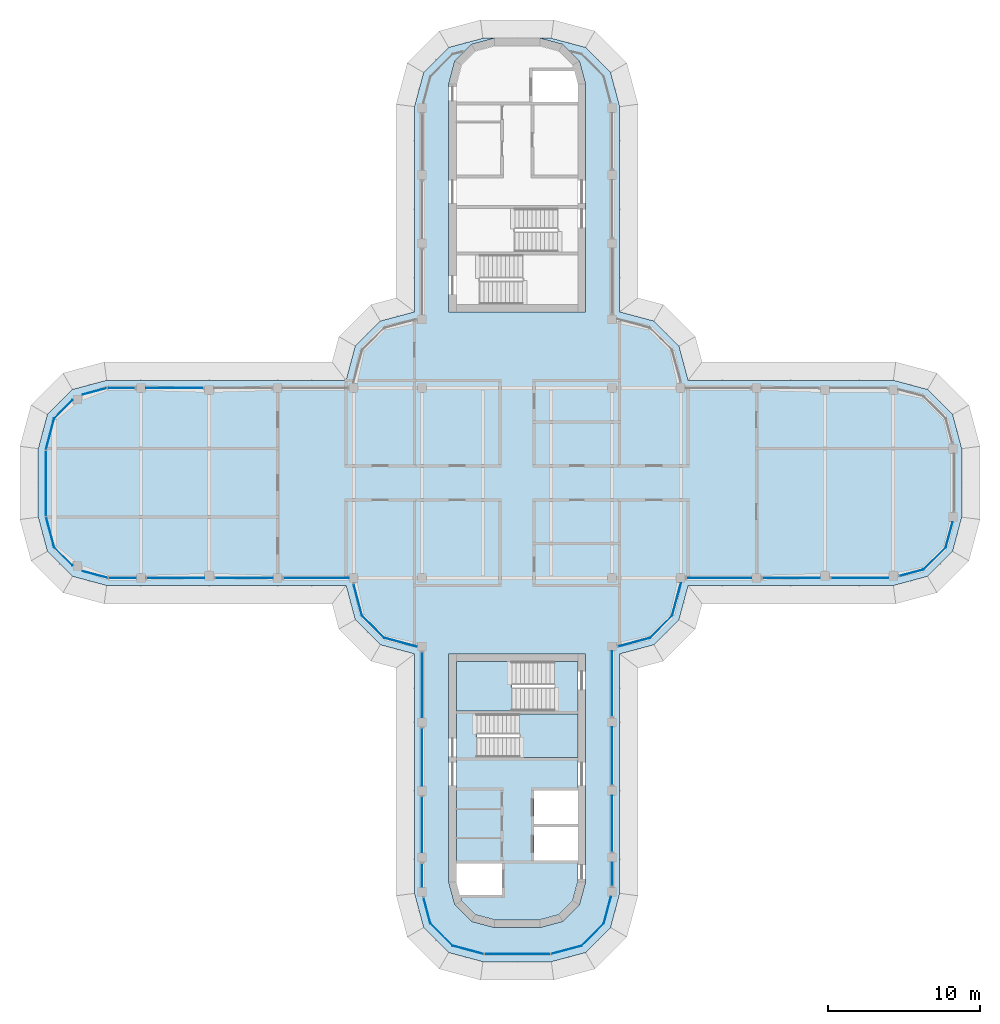
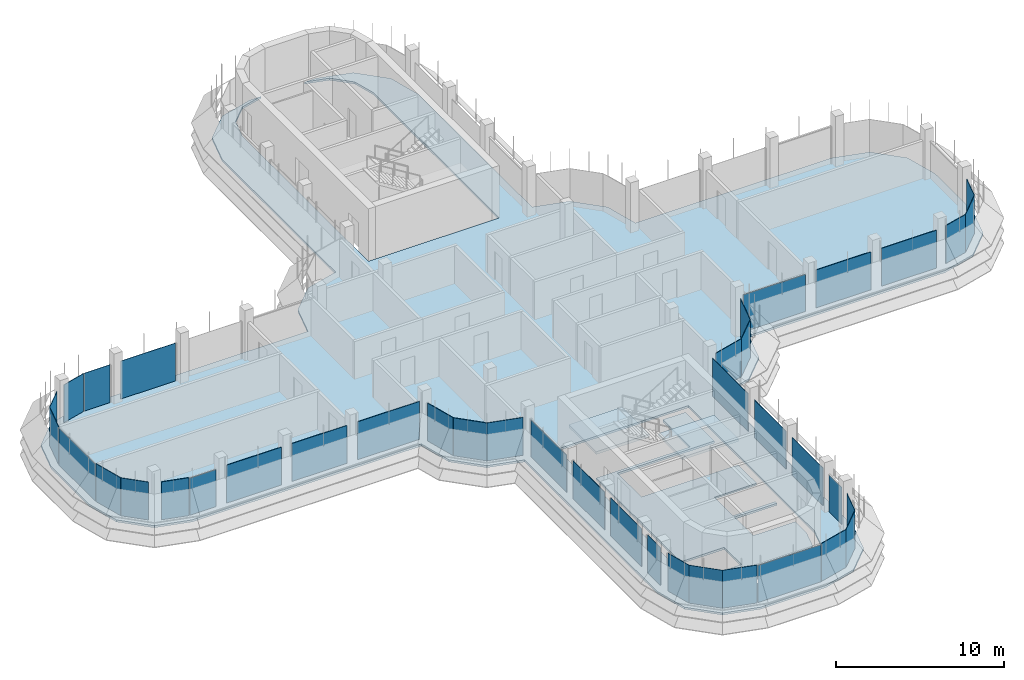
# One storey, part 11 of 19: 40 plates, 4 slabs, 30 elements without a shape of their own.
"""IFC4 building model written with IfcOpenShell, lengths in metres."""

from ifc_helpers import new_model, si_unit, direction, frame, origin, place, context, subcontext, project, spatial, polyline, outline, extrude, source, transform, mapped, material, layer, layer_set, type_object, element, aggregate, save


model = new_model("IFC4")

# Units and contexts
model_context = context("Model", 3, precision=1e-05, world=origin(), true_north=direction((0.0, 1.0)))
body_context = subcontext(model_context, "Body", "Model", "MODEL_VIEW")
ifc_project = project(units=[si_unit("LENGTHUNIT", "METRE"), si_unit("AREAUNIT", "SQUARE_METRE"), si_unit("VOLUMEUNIT", "CUBIC_METRE"), si_unit("PLANEANGLEUNIT", "RADIAN"), si_unit("MASSUNIT", "GRAM", prefix="KILO")], contexts=[model_context])

# Site, building, storey
site_placement = place(None, origin())
site = spatial("IfcSite", under=ifc_project, at=site_placement, CompositionType="ELEMENT")
building_placement = place(site_placement, origin())
building = spatial("IfcBuilding", under=site, at=building_placement, Name="Zarbagh Exchange Tower", CompositionType="ELEMENT")
storey_placement = place(building_placement, frame((0.0, 0.0, 265.0)))
storey = spatial("IfcBuildingStorey", under=building, at=storey_placement, Name="L65", CompositionType="ELEMENT", Elevation=265.0)

# Slabs
ifc_material_1 = material(Name="Concrete C40/50", Category="concrete")
ifc_layer_1 = layer(ifc_material_1, 0.14990234375)
ifc_layer_set_1 = layer_set([ifc_layer_1], Name="Composite floor slab 150 C40/50")
slab_type_1 = type_object("IfcSlabType", Name="Composite floor slab 150 C40/50", PredefinedType="FLOOR", material=ifc_layer_set_1)
slab_1_placement = place(storey_placement, frame((0.0, 0.0, -0.14990234375)))
element("IfcSlab", 1, at=slab_1_placement, inside=storey, type_object=slab_type_1, Name="S5 composite floor slab", PredefinedType="FLOOR", context=body_context, shape_type="SweptSolid", body=[
    extrude(outline(polyline([(-2.25, -31.5), (-4.5, -30.897216796875), (-6.147216796875, -29.25), (-6.75, -27.0), (-6.75, -11.25), (-9.0, -10.647216796875), (-10.647216796875, -9.0), (-11.25, -6.75), (-27.0, -6.75), (-29.25, -6.147216796875), (-30.897216796875, -4.5), (-31.5, -2.25), (-31.5, 2.25), (-30.897216796875, 4.5), (-29.25, 6.147216796875), (-27.0, 6.75), (-11.25, 6.75), (-10.647216796875, 9.0), (-9.0, 10.647216796875), (-6.75, 11.25), (-6.75, 24.75), (-6.147216796875, 27.0), (-4.5, 28.647216796875), (-2.25, 29.25), (-1.5, 29.25), (-3.0, 28.84814453125), (-4.09814453125, 27.75), (-4.5, 26.25), (-4.5, 11.25), (4.5, 11.25), (4.5, 26.25), (4.09814453125, 27.75), (3.0, 28.84814453125), (1.5, 29.25), (2.25, 29.25), (4.5, 28.647216796875), (6.147216796875, 27.0), (6.75, 24.75), (6.75, 11.25), (9.0, 10.647216796875), (10.647216796875, 9.0), (11.25, 6.75), (24.75, 6.75), (27.0, 6.147216796875), (28.647216796875, 4.5), (29.25, 2.25), (29.25, -2.25), (28.647216796875, -4.5), (27.0, -6.147216796875), (24.75, -6.75), (11.25, -6.75), (10.647216796875, -9.0), (9.0, -10.647216796875), (6.75, -11.25), (6.75, -27.0), (6.147216796875, -29.25), (4.5, -30.897216796875), (2.25, -31.5), (-2.25, -31.5)]), holes=[polyline([(-1.5, -29.25), (1.5, -29.25), (3.0, -28.84814453125), (4.09814453125, -27.75), (4.5, -26.25), (4.5, -11.25), (-4.5, -11.25), (-4.5, -26.25), (-4.09814453125, -27.75), (-3.0, -28.84814453125), (-1.5, -29.25)])]), origin(), (0.0, 0.0, 1.0), 0.14990234375),
])
ifc_layer_2 = layer(ifc_material_1, 0.14990234375)
ifc_layer_set_2 = layer_set([ifc_layer_2], Name="Core floor slab 150 C40/50")
slab_type_2 = type_object("IfcSlabType", Name="Core floor slab 150 C40/50", PredefinedType="FLOOR", material=ifc_layer_set_2)
slab_2_placement = place(storey_placement, frame((0.0, 0.0, -0.14990234375)))
element("IfcSlab", 2, at=slab_2_placement, inside=storey, type_object=slab_type_2, Name="S17 core S", PredefinedType="FLOOR", context=body_context, shape_type="SweptSolid", body=[
    extrude(outline(polyline([(-2.7412109375, -28.39990234375), (-3.64990234375, -27.4912109375), (-3.857666015625, -26.715087890625), (-3.754638671875, -27.10009765625), (-1.0, -27.10009765625), (-1.0, -25.050048828125), (-4.0, -25.050048828125), (-4.0, -15.0), (2.449951171875, -15.0), (2.449951171875, -11.75), (4.0, -11.75), (4.0, -15.199951171875), (-2.64990234375, -15.199951171875), (-2.64990234375, -18.050048828125), (4.0, -18.050048828125), (4.0, -20.25), (1.10009765625, -20.25), (1.10009765625, -22.449951171875), (4.0, -22.449951171875), (4.0, -22.64990234375), (1.10009765625, -22.64990234375), (1.10009765625, -24.85009765625), (4.0, -24.85009765625), (4.0, -26.18408203125), (3.64990234375, -27.4912109375), (2.7412109375, -28.39990234375), (1.43408203125, -28.75), (-1.43408203125, -28.75), (-2.7412109375, -28.39990234375)])), origin(), (0.0, 0.0, 1.0), 0.14990234375),
])

# Stair, slab
stair_type = type_object("IfcStairType", Name="Exit stair two-flight half-turn", PredefinedType="HALF_TURN_STAIR", material=ifc_material_1)
stair_1_placement = place(storey_placement, origin())
stair_1 = element("IfcStair", 3, at=stair_1_placement, inside=storey, type_object=stair_type, Name="exit stair ST3", PredefinedType="HALF_TURN_STAIR")
ifc_layer_3 = layer(ifc_material_1, 0.199951171875)
ifc_layer_set_3 = layer_set([ifc_layer_3], Name="Stair landing 200 mm")
slab_type_3 = type_object("IfcSlabType", Name="Stair landing 200 mm", PredefinedType="LANDING", material=ifc_layer_set_3)
slab_3_placement = place(storey_placement, frame((0.0, 0.0, 1.699951171875)))
slab_3 = element("IfcSlab", 4, at=slab_3_placement, type_object=slab_type_3, Name="ST3 landing 1", PredefinedType="LANDING", context=body_context, shape_type="SweptSolid", body=[
    extrude(outline(polyline([(0.14990234375, -18.050048828125), (4.0, -18.050048828125), (4.0, -15.199951171875), (0.14990234375, -15.199951171875), (0.14990234375, -18.050048828125)])), origin(), (0.0, 0.0, 1.0), 0.199951171875),
])
aggregate(stair_1, [slab_3])

stair_2_placement = place(storey_placement, origin())
stair_2 = element("IfcStair", 5, at=stair_2_placement, inside=storey, type_object=stair_type, Name="exit stair ST4", PredefinedType="HALF_TURN_STAIR")
slab_4_placement = place(storey_placement, frame((0.0, 0.0, 1.699951171875)))
slab_4 = element("IfcSlab", 6, at=slab_4_placement, type_object=slab_type_3, Name="ST4 landing 1", PredefinedType="LANDING", context=body_context, shape_type="SweptSolid", body=[
    extrude(outline(polyline([(-0.35009765625, -11.75), (-4.0, -11.75), (-4.0, -15.0), (-0.35009765625, -15.0), (-0.35009765625, -11.75)])), origin(), (0.0, 0.0, 1.0), 0.199951171875),
])
aggregate(stair_2, [slab_4])

# Curtain wall, plate
ifc_material_2 = material(Name="Anodised aluminium frame and glazing", Category="aluminium")
curtain_wall_type = type_object("IfcCurtainWallType", Name="CWB Ribbon glazing, upper zones", PredefinedType="NOTDEFINED", material=ifc_material_2)
curtain_wall_1_placement = place(storey_placement, origin())
curtain_wall_1 = element("IfcCurtainWall", 7, at=curtain_wall_1_placement, inside=storey, type_object=curtain_wall_type, Name="CWB50 curtain wall", PredefinedType="NOTDEFINED")
ifc_material_3 = material(Name="Low-e double glazed unit, 6+12+6 mm")
ifc_layer_4 = layer(ifc_material_3, 0.031982421875)
ifc_layer_set_4 = layer_set([ifc_layer_4], Name="PAB Glazing panel, Low-e double glazed unit, 6+12+6 mm")
plate_type = type_object("IfcPlateType", Name="PAB Glazing panel, Low-e double glazed unit, 6+12+6 mm", PredefinedType="CURTAIN_PANEL", material=ifc_layer_set_4)
shared_shape_1 = source(origin(), body_context, "Body", "SweptSolid", [
    extrude(outline(polyline([(0.0, -0.01611328125), (2.061279296875, -0.01611328125), (2.061279296875, 0.01611328125), (0.0, 0.01611328125), (0.0, -0.01611328125)])), origin(), (0.0, 0.0, 1.0), 2.75),
])
placement = place(storey_placement, origin())
plate_1 = element("IfcPlate", 8, at=placement, type_object=plate_type, Name="CWB50 glazing panel 1.1", PredefinedType="CURTAIN_PANEL", context=body_context, shape_type="MappedRepresentation", body=[
    mapped(shared_shape_1, transform((4.2412109375, -30.44873046875, 0.0), x_axis=(0.707106781187, 0.707106781187, 0.0), y_axis=(-0.707106781187, 0.707106781187, 0.0), z_axis=(0.0, 0.0, 1.0))),
])
aggregate(curtain_wall_1, [plate_1])

curtain_wall_2_placement = place(storey_placement, origin())
curtain_wall_2 = element("IfcCurtainWall", 9, at=curtain_wall_2_placement, inside=storey, type_object=curtain_wall_type, Name="CWB06 curtain wall", PredefinedType="NOTDEFINED")
plate_2 = element("IfcPlate", 10, at=placement, type_object=plate_type, Name="CWB06 glazing panel 1.1", PredefinedType="CURTAIN_PANEL", context=body_context, shape_type="MappedRepresentation", body=[
    mapped(shared_shape_1, transform((8.7412109375, -10.19873046875, 0.0), x_axis=(0.707106781187, 0.707106781187, 0.0), y_axis=(-0.707106781187, 0.707106781187, 0.0), z_axis=(0.0, 0.0, 1.0))),
])
aggregate(curtain_wall_2, [plate_2])

curtain_wall_3_placement = place(storey_placement, origin())
curtain_wall_3 = element("IfcCurtainWall", 11, at=curtain_wall_3_placement, inside=storey, type_object=curtain_wall_type, Name="CWB77 curtain wall", PredefinedType="NOTDEFINED")
plate_3 = element("IfcPlate", 12, at=placement, type_object=plate_type, Name="CWB77 glazing panel 1.1", PredefinedType="CURTAIN_PANEL", context=body_context, shape_type="MappedRepresentation", body=[
    mapped(shared_shape_1, transform((26.7412109375, -5.69873046875, 0.0), x_axis=(0.707106781187, 0.707106781187, 0.0), y_axis=(-0.707106781187, 0.707106781187, 0.0), z_axis=(0.0, 0.0, 1.0))),
])
aggregate(curtain_wall_3, [plate_3])

curtain_wall_4_placement = place(storey_placement, origin())
curtain_wall_4 = element("IfcCurtainWall", 13, at=curtain_wall_4_placement, inside=storey, type_object=curtain_wall_type, Name="CWB42 curtain wall", PredefinedType="NOTDEFINED")
plate_4 = element("IfcPlate", 14, at=placement, type_object=plate_type, Name="CWB42 glazing panel 1.1", PredefinedType="CURTAIN_PANEL", context=body_context, shape_type="MappedRepresentation", body=[
    mapped(shared_shape_1, transform((-10.19873046875, -8.7412109375, 0.0), x_axis=(0.707106781187, -0.707106781187, 0.0), y_axis=(0.707106781187, 0.707106781187, 0.0), z_axis=(0.0, 0.0, 1.0))),
])
aggregate(curtain_wall_4, [plate_4])

curtain_wall_5_placement = place(storey_placement, origin())
curtain_wall_5 = element("IfcCurtainWall", 15, at=curtain_wall_5_placement, inside=storey, type_object=curtain_wall_type, Name="CWB55 curtain wall", PredefinedType="NOTDEFINED")
plate_5 = element("IfcPlate", 16, at=placement, type_object=plate_type, Name="CWB55 glazing panel 1.1", PredefinedType="CURTAIN_PANEL", context=body_context, shape_type="MappedRepresentation", body=[
    mapped(shared_shape_1, transform((-5.69873046875, -28.9912109375, 0.0), x_axis=(0.707106781187, -0.707106781187, 0.0), y_axis=(0.707106781187, 0.707106781187, 0.0), z_axis=(0.0, 0.0, 1.0))),
])
aggregate(curtain_wall_5, [plate_5])

curtain_wall_6_placement = place(storey_placement, origin())
curtain_wall_6 = element("IfcCurtainWall", 17, at=curtain_wall_6_placement, inside=storey, type_object=curtain_wall_type, Name="CWB61 curtain wall", PredefinedType="NOTDEFINED")
shared_shape_2 = source(origin(), body_context, "Body", "SweptSolid", [
    extrude(outline(polyline([(0.0, -0.01611328125), (2.129638671875, -0.01611328125), (2.129638671875, 0.01611328125), (0.0, 0.01611328125), (0.0, -0.01611328125)])), origin(), (0.0, 0.0, 1.0), 2.75),
])
plate_6 = element("IfcPlate", 18, at=placement, type_object=plate_type, Name="CWB61 glazing panel 1.1", PredefinedType="CURTAIN_PANEL", context=body_context, shape_type="MappedRepresentation", body=[
    mapped(shared_shape_2, transform((-30.44873046875, 4.2412109375, 0.0), x_axis=(-0.258824779902, -0.965924289636, 0.0), y_axis=(0.965924289636, -0.258824779902, 0.0), z_axis=(0.0, 0.0, 1.0))),
])
aggregate(curtain_wall_6, [plate_6])

curtain_wall_7_placement = place(storey_placement, origin())
curtain_wall_7 = element("IfcCurtainWall", 19, at=curtain_wall_7_placement, inside=storey, type_object=curtain_wall_type, Name="CWB56 curtain wall", PredefinedType="NOTDEFINED")
plate_7 = element("IfcPlate", 20, at=placement, type_object=plate_type, Name="CWB56 glazing panel 1.1", PredefinedType="CURTAIN_PANEL", context=body_context, shape_type="MappedRepresentation", body=[
    mapped(shared_shape_2, transform((-4.2412109375, -30.44873046875, 0.0), x_axis=(0.965924289636, -0.258824779902, 0.0), y_axis=(0.258824779902, 0.965924289636, 0.0), z_axis=(0.0, 0.0, 1.0))),
])
aggregate(curtain_wall_7, [plate_7])

curtain_wall_8_placement = place(storey_placement, origin())
curtain_wall_8 = element("IfcCurtainWall", 21, at=curtain_wall_8_placement, inside=storey, type_object=curtain_wall_type, Name="CWB65 curtain wall", PredefinedType="NOTDEFINED")
shared_shape_3 = source(origin(), body_context, "Body", "SweptSolid", [
    extrude(outline(polyline([(0.0, -0.01611328125), (1.7841796875, -0.01611328125), (1.7841796875, 0.01611328125), (0.0, 0.01611328125), (0.0, -0.01611328125)])), origin(), (0.0, 0.0, 1.0), 2.68994140625),
])
plate_8 = element("IfcPlate", 22, at=placement, type_object=plate_type, Name="CWB65 glazing panel 1.1", PredefinedType="CURTAIN_PANEL", context=body_context, shape_type="MappedRepresentation", body=[
    mapped(shared_shape_3, transform((-26.874267578125, -6.25, 0.0), x_axis=(1.0, 0.0, 0.0), y_axis=(0.0, 1.0, 0.0), z_axis=(0.0, 0.0, 1.0))),
])

curtain_wall_9_placement = place(storey_placement, origin())
curtain_wall_9 = element("IfcCurtainWall", 23, at=curtain_wall_9_placement, inside=storey, type_object=curtain_wall_type, Name="CWB66 curtain wall", PredefinedType="NOTDEFINED")
shared_shape_4 = source(origin(), body_context, "Body", "SweptSolid", [
    extrude(outline(polyline([(0.0, -0.01611328125), (4.308349609375, -0.01611328125), (4.308349609375, 0.01611328125), (0.0, 0.01611328125), (0.0, -0.01611328125)])), origin(), (0.0, 0.0, 1.0), 2.68994140625),
])
plate_9 = element("IfcPlate", 24, at=placement, type_object=plate_type, Name="CWB66 glazing panel 1.1", PredefinedType="CURTAIN_PANEL", context=body_context, shape_type="MappedRepresentation", body=[
    mapped(shared_shape_4, transform((-31.0, 2.124267578125, 0.0), x_axis=(0.0, -1.0, 0.0), y_axis=(1.0, 0.0, 0.0), z_axis=(0.0, 0.0, 1.0))),
])
aggregate(curtain_wall_9, [plate_9])

curtain_wall_10_placement = place(storey_placement, origin())
curtain_wall_10 = element("IfcCurtainWall", 25, at=curtain_wall_10_placement, inside=storey, type_object=curtain_wall_type, Name="CWB57 curtain wall", PredefinedType="NOTDEFINED")
plate_10 = element("IfcPlate", 26, at=placement, type_object=plate_type, Name="CWB57 glazing panel 1.1", PredefinedType="CURTAIN_PANEL", context=body_context, shape_type="MappedRepresentation", body=[
    mapped(shared_shape_4, transform((-2.124267578125, -31.0, 0.0), x_axis=(1.0, 0.0, 0.0), y_axis=(0.0, 1.0, 0.0), z_axis=(0.0, 0.0, 1.0))),
])
aggregate(curtain_wall_10, [plate_10])

curtain_wall_11_placement = place(storey_placement, origin())
curtain_wall_11 = element("IfcCurtainWall", 27, at=curtain_wall_11_placement, inside=storey, type_object=curtain_wall_type, Name="CWB49 curtain wall", PredefinedType="NOTDEFINED")
shared_shape_5 = source(origin(), body_context, "Body", "SweptSolid", [
    extrude(outline(polyline([(0.0, -0.01611328125), (2.069580078125, -0.01611328125), (2.069580078125, 0.01611328125), (0.0, 0.01611328125), (0.0, -0.01611328125)])), origin(), (0.0, 0.0, 1.0), 2.75),
])
plate_11 = element("IfcPlate", 28, at=placement, type_object=plate_type, Name="CWB49 glazing panel 1.1", PredefinedType="CURTAIN_PANEL", context=body_context, shape_type="MappedRepresentation", body=[
    mapped(shared_shape_5, transform((2.2421875, -30.984375, 0.0), x_axis=(0.965924289636, 0.258824779902, 0.0), y_axis=(-0.258824779902, 0.965924289636, 0.0), z_axis=(0.0, 0.0, 1.0))),
])
aggregate(curtain_wall_11, [plate_11])

curtain_wall_12_placement = place(storey_placement, origin())
curtain_wall_12 = element("IfcCurtainWall", 29, at=curtain_wall_12_placement, inside=storey, type_object=curtain_wall_type, Name="CWB62 curtain wall", PredefinedType="NOTDEFINED")
plate_12 = element("IfcPlate", 30, at=placement, type_object=plate_type, Name="CWB62 glazing panel 1.1", PredefinedType="CURTAIN_PANEL", context=body_context, shape_type="MappedRepresentation", body=[
    mapped(shared_shape_5, transform((-30.984375, -2.2421875, 0.0), x_axis=(0.258824779902, -0.965924289636, 0.0), y_axis=(0.965924289636, 0.258824779902, 0.0), z_axis=(0.0, 0.0, 1.0))),
])
aggregate(curtain_wall_12, [plate_12])

curtain_wall_13_placement = place(storey_placement, origin())
curtain_wall_13 = element("IfcCurtainWall", 31, at=curtain_wall_13_placement, inside=storey, type_object=curtain_wall_type, Name="CWB58 curtain wall", PredefinedType="NOTDEFINED")
shared_shape_6 = source(origin(), body_context, "Body", "SweptSolid", [
    extrude(outline(polyline([(0.0, -0.01611328125), (1.7841796875, -0.01611328125), (1.7841796875, 0.01611328125), (0.0, 0.01611328125), (0.0, -0.01611328125)])), origin(), (0.0, 0.0, 1.0), 2.75),
])
plate_13 = element("IfcPlate", 32, at=placement, type_object=plate_type, Name="CWB58 glazing panel 4.1", PredefinedType="CURTAIN_PANEL", context=body_context, shape_type="MappedRepresentation", body=[
    mapped(shared_shape_6, transform((-25.150146484375, 6.25, 0.0), x_axis=(-1.0, 0.0, 0.0), y_axis=(0.0, -1.0, 0.0), z_axis=(0.0, 0.0, 1.0))),
])

curtain_wall_14_placement = place(storey_placement, origin())
curtain_wall_14 = element("IfcCurtainWall", 33, at=curtain_wall_14_placement, inside=storey, type_object=curtain_wall_type, Name="CWB78 curtain wall", PredefinedType="NOTDEFINED")
shared_shape_7 = source(origin(), body_context, "Body", "SweptSolid", [
    extrude(outline(polyline([(0.0, -0.01611328125), (1.70947265625, -0.01611328125), (1.70947265625, 0.01611328125), (0.0, 0.01611328125), (0.0, -0.01611328125)])), origin(), (0.0, 0.0, 1.0), 2.75),
])
plate_14 = element("IfcPlate", 34, at=placement, type_object=plate_type, Name="CWB78 glazing panel 1.1", PredefinedType="CURTAIN_PANEL", context=body_context, shape_type="MappedRepresentation", body=[
    mapped(shared_shape_7, transform((28.19873046875, -4.2412109375, 0.0), x_axis=(0.258824779902, 0.965924289636, 0.0), y_axis=(-0.965924289636, 0.258824779902, 0.0), z_axis=(0.0, 0.0, 1.0))),
])
aggregate(curtain_wall_14, [plate_14])

curtain_wall_15_placement = place(storey_placement, origin())
curtain_wall_15 = element("IfcCurtainWall", 35, at=curtain_wall_15_placement, inside=storey, type_object=curtain_wall_type, Name="CWB76 curtain wall", PredefinedType="NOTDEFINED")
shared_shape_8 = source(origin(), body_context, "Body", "SweptSolid", [
    extrude(outline(polyline([(0.0, -0.01611328125), (1.6494140625, -0.01611328125), (1.6494140625, 0.01611328125), (0.0, 0.01611328125), (0.0, -0.01611328125)])), origin(), (0.0, 0.0, 1.0), 2.75),
])
plate_15 = element("IfcPlate", 36, at=placement, type_object=plate_type, Name="CWB76 glazing panel 1.1", PredefinedType="CURTAIN_PANEL", context=body_context, shape_type="MappedRepresentation", body=[
    mapped(shared_shape_8, transform((25.14794921875, -6.125732421875, 0.0), x_axis=(0.965924289636, 0.258824779902, 0.0), y_axis=(-0.258824779902, 0.965924289636, 0.0), z_axis=(0.0, 0.0, 1.0))),
])
aggregate(curtain_wall_15, [plate_15])

curtain_wall_16_placement = place(storey_placement, origin())
curtain_wall_16 = element("IfcCurtainWall", 37, at=curtain_wall_16_placement, inside=storey, type_object=curtain_wall_type, Name="CWB52 curtain wall", PredefinedType="NOTDEFINED")
shared_shape_9 = source(origin(), body_context, "Body", "SweptSolid", [
    extrude(outline(polyline([(0.0, -0.01611328125), (3.659912109375, -0.01611328125), (3.659912109375, 0.01611328125), (0.0, 0.01611328125), (0.0, -0.01611328125)])), origin(), (0.0, 0.0, 1.0), 2.75),
])
plate_16 = element("IfcPlate", 38, at=placement, type_object=plate_type, Name="CWB52 glazing panel 2.1", PredefinedType="CURTAIN_PANEL", context=body_context, shape_type="MappedRepresentation", body=[
    mapped(shared_shape_9, transform((6.25, -24.25, 0.0), x_axis=(0.0, 1.0, 0.0), y_axis=(-1.0, 0.0, 0.0), z_axis=(0.0, 0.0, 1.0))),
])

curtain_wall_17_placement = place(storey_placement, origin())
curtain_wall_17 = element("IfcCurtainWall", 39, at=curtain_wall_17_placement, inside=storey, type_object=curtain_wall_type, Name="CWB53 curtain wall", PredefinedType="NOTDEFINED")
plate_17 = element("IfcPlate", 40, at=placement, type_object=plate_type, Name="CWB53 glazing panel 3.1", PredefinedType="CURTAIN_PANEL", context=body_context, shape_type="MappedRepresentation", body=[
    mapped(shared_shape_9, transform((-6.25, -20.650146484375, 0.0), x_axis=(0.0, -1.0, 0.0), y_axis=(1.0, 0.0, 0.0), z_axis=(0.0, 0.0, 1.0))),
])

curtain_wall_18_placement = place(storey_placement, origin())
curtain_wall_18 = element("IfcCurtainWall", 41, at=curtain_wall_18_placement, inside=storey, type_object=curtain_wall_type, Name="CWB51 curtain wall", PredefinedType="NOTDEFINED")
shared_shape_10 = source(origin(), body_context, "Body", "SweptSolid", [
    extrude(outline(polyline([(0.0, -0.01611328125), (1.81298828125, -0.01611328125), (1.81298828125, 0.01611328125), (0.0, 0.01611328125), (0.0, -0.01611328125)])), origin(), (0.0, 0.0, 1.0), 2.75),
])
plate_18 = element("IfcPlate", 42, at=placement, type_object=plate_type, Name="CWB51 glazing panel 1.1", PredefinedType="CURTAIN_PANEL", context=body_context, shape_type="MappedRepresentation", body=[
    mapped(shared_shape_10, transform((5.69873046875, -28.9912109375, 0.0), x_axis=(0.258824779902, 0.965924289636, 0.0), y_axis=(-0.965924289636, 0.258824779902, 0.0), z_axis=(0.0, 0.0, 1.0))),
])
aggregate(curtain_wall_18, [plate_18])

# Plate
shared_shape_11 = source(origin(), body_context, "Body", "SweptSolid", [
    extrude(outline(polyline([(0.0, -0.01611328125), (1.510009765625, -0.01611328125), (1.510009765625, 0.01611328125), (0.0, 0.01611328125), (0.0, -0.01611328125)])), origin(), (0.0, 0.0, 1.0), 2.68994140625),
])
plate_19 = element("IfcPlate", 43, at=placement, type_object=plate_type, Name="CWB52 glazing panel 1.1", PredefinedType="CURTAIN_PANEL", context=body_context, shape_type="MappedRepresentation", body=[
    mapped(shared_shape_11, transform((6.25, -26.5, 0.0), x_axis=(0.0, 1.0, 0.0), y_axis=(-1.0, 0.0, 0.0), z_axis=(0.0, 0.0, 1.0))),
])

shared_shape_12 = source(origin(), body_context, "Body", "SweptSolid", [
    extrude(outline(polyline([(0.0, -0.01611328125), (3.760009765625, -0.01611328125), (3.760009765625, 0.01611328125), (0.0, 0.01611328125), (0.0, -0.01611328125)])), origin(), (0.0, 0.0, 1.0), 2.75),
])
plate_20 = element("IfcPlate", 44, at=placement, type_object=plate_type, Name="CWB52 glazing panel 3.1", PredefinedType="CURTAIN_PANEL", context=body_context, shape_type="MappedRepresentation", body=[
    mapped(shared_shape_12, transform((6.25, -19.849853515625, 0.0), x_axis=(0.0, 1.0, 0.0), y_axis=(-1.0, 0.0, 0.0), z_axis=(0.0, 0.0, 1.0))),
])

# Curtain wall, plates
curtain_wall_19_placement = place(storey_placement, origin())
curtain_wall_19 = element("IfcCurtainWall", 45, at=curtain_wall_19_placement, inside=storey, type_object=curtain_wall_type, Name="CWB75 curtain wall", PredefinedType="NOTDEFINED")
plate_21 = element("IfcPlate", 46, at=placement, type_object=plate_type, Name="CWB75 glazing panel 2.1", PredefinedType="CURTAIN_PANEL", context=body_context, shape_type="MappedRepresentation", body=[
    mapped(shared_shape_12, transform((16.150146484375, -6.25, 0.0), x_axis=(1.0, 0.0, 0.0), y_axis=(0.0, 1.0, 0.0), z_axis=(0.0, 0.0, 1.0))),
])
plate_22 = element("IfcPlate", 47, at=placement, type_object=plate_type, Name="CWB75 glazing panel 3.1", PredefinedType="CURTAIN_PANEL", context=body_context, shape_type="MappedRepresentation", body=[
    mapped(shared_shape_12, transform((20.650146484375, -6.25, 0.0), x_axis=(1.0, 0.0, 0.0), y_axis=(0.0, 1.0, 0.0), z_axis=(0.0, 0.0, 1.0))),
])

# Plate
plate_23 = element("IfcPlate", 48, at=placement, type_object=plate_type, Name="CWB58 glazing panel 3.1", PredefinedType="CURTAIN_PANEL", context=body_context, shape_type="MappedRepresentation", body=[
    mapped(shared_shape_12, transform((-20.650146484375, 6.25, 0.0), x_axis=(-1.0, 0.0, 0.0), y_axis=(0.0, -1.0, 0.0), z_axis=(0.0, 0.0, 1.0))),
])

aggregate(curtain_wall_13, [plate_23, plate_13])

plate_24 = element("IfcPlate", 49, at=placement, type_object=plate_type, Name="CWB65 glazing panel 2.1", PredefinedType="CURTAIN_PANEL", context=body_context, shape_type="MappedRepresentation", body=[
    mapped(shared_shape_12, transform((-24.349853515625, -6.25, 0.0), x_axis=(1.0, 0.0, 0.0), y_axis=(0.0, 1.0, 0.0), z_axis=(0.0, 0.0, 1.0))),
])

plate_25 = element("IfcPlate", 50, at=placement, type_object=plate_type, Name="CWB65 glazing panel 3.1", PredefinedType="CURTAIN_PANEL", context=body_context, shape_type="MappedRepresentation", body=[
    mapped(shared_shape_12, transform((-19.849853515625, -6.25, 0.0), x_axis=(1.0, 0.0, 0.0), y_axis=(0.0, 1.0, 0.0), z_axis=(0.0, 0.0, 1.0))),
])

plate_26 = element("IfcPlate", 51, at=placement, type_object=plate_type, Name="CWB53 glazing panel 2.1", PredefinedType="CURTAIN_PANEL", context=body_context, shape_type="MappedRepresentation", body=[
    mapped(shared_shape_12, transform((-6.25, -16.150146484375, 0.0), x_axis=(0.0, -1.0, 0.0), y_axis=(1.0, 0.0, 0.0), z_axis=(0.0, 0.0, 1.0))),
])

shared_shape_13 = source(origin(), body_context, "Body", "SweptSolid", [
    extrude(outline(polyline([(0.0, -0.01611328125), (4.260009765625, -0.01611328125), (4.260009765625, 0.01611328125), (0.0, 0.01611328125), (0.0, -0.01611328125)])), origin(), (0.0, 0.0, 1.0), 2.75),
])
plate_27 = element("IfcPlate", 52, at=placement, type_object=plate_type, Name="CWB52 glazing panel 4.1", PredefinedType="CURTAIN_PANEL", context=body_context, shape_type="MappedRepresentation", body=[
    mapped(shared_shape_13, transform((6.25, -15.349853515625, 0.0), x_axis=(0.0, 1.0, 0.0), y_axis=(-1.0, 0.0, 0.0), z_axis=(0.0, 0.0, 1.0))),
])

aggregate(curtain_wall_16, [plate_19, plate_16, plate_20, plate_27])

plate_28 = element("IfcPlate", 53, at=placement, type_object=plate_type, Name="CWB65 glazing panel 4.1", PredefinedType="CURTAIN_PANEL", context=body_context, shape_type="MappedRepresentation", body=[
    mapped(shared_shape_13, transform((-15.349853515625, -6.25, 0.0), x_axis=(1.0, 0.0, 0.0), y_axis=(0.0, 1.0, 0.0), z_axis=(0.0, 0.0, 1.0))),
])

aggregate(curtain_wall_8, [plate_8, plate_24, plate_25, plate_28])

# Curtain wall, plate
curtain_wall_20_placement = place(storey_placement, origin())
curtain_wall_20 = element("IfcCurtainWall", 54, at=curtain_wall_20_placement, inside=storey, type_object=curtain_wall_type, Name="CWB05 curtain wall", PredefinedType="NOTDEFINED")
shared_shape_14 = source(origin(), body_context, "Body", "SweptSolid", [
    extrude(outline(polyline([(0.0, -0.01611328125), (2.1669921875, -0.01611328125), (2.1669921875, 0.01611328125), (0.0, 0.01611328125), (0.0, -0.01611328125)])), origin(), (0.0, 0.0, 1.0), 2.75),
])
plate_29 = element("IfcPlate", 55, at=placement, type_object=plate_type, Name="CWB05 glazing panel 1.1", PredefinedType="CURTAIN_PANEL", context=body_context, shape_type="MappedRepresentation", body=[
    mapped(shared_shape_14, transform((6.64794921875, -10.759765625, 0.0), x_axis=(0.965924289636, 0.258824779902, 0.0), y_axis=(-0.258824779902, 0.965924289636, 0.0), z_axis=(0.0, 0.0, 1.0))),
])
aggregate(curtain_wall_20, [plate_29])

curtain_wall_21_placement = place(storey_placement, origin())
curtain_wall_21 = element("IfcCurtainWall", 56, at=curtain_wall_21_placement, inside=storey, type_object=curtain_wall_type, Name="CWB41 curtain wall", PredefinedType="NOTDEFINED")
plate_30 = element("IfcPlate", 57, at=placement, type_object=plate_type, Name="CWB41 glazing panel 1.1", PredefinedType="CURTAIN_PANEL", context=body_context, shape_type="MappedRepresentation", body=[
    mapped(shared_shape_14, transform((-10.759765625, -6.64794921875, 0.0), x_axis=(0.258824779902, -0.965924289636, 0.0), y_axis=(0.965924289636, 0.258824779902, 0.0), z_axis=(0.0, 0.0, 1.0))),
])
aggregate(curtain_wall_21, [plate_30])

curtain_wall_22_placement = place(storey_placement, origin())
curtain_wall_22 = element("IfcCurtainWall", 58, at=curtain_wall_22_placement, inside=storey, type_object=curtain_wall_type, Name="CWB07 curtain wall", PredefinedType="NOTDEFINED")
shared_shape_15 = source(origin(), body_context, "Body", "SweptSolid", [
    extrude(outline(polyline([(0.0, -0.01611328125), (2.22705078125, -0.01611328125), (2.22705078125, 0.01611328125), (0.0, 0.01611328125), (0.0, -0.01611328125)])), origin(), (0.0, 0.0, 1.0), 2.75),
])
plate_31 = element("IfcPlate", 59, at=placement, type_object=plate_type, Name="CWB07 glazing panel 1.1", PredefinedType="CURTAIN_PANEL", context=body_context, shape_type="MappedRepresentation", body=[
    mapped(shared_shape_15, transform((10.19873046875, -8.7412109375, 0.0), x_axis=(0.258824779902, 0.965924289636, 0.0), y_axis=(-0.965924289636, 0.258824779902, 0.0), z_axis=(0.0, 0.0, 1.0))),
])
aggregate(curtain_wall_22, [plate_31])

curtain_wall_23_placement = place(storey_placement, origin())
curtain_wall_23 = element("IfcCurtainWall", 60, at=curtain_wall_23_placement, inside=storey, type_object=curtain_wall_type, Name="CWB43 curtain wall", PredefinedType="NOTDEFINED")
plate_32 = element("IfcPlate", 61, at=placement, type_object=plate_type, Name="CWB43 glazing panel 1.1", PredefinedType="CURTAIN_PANEL", context=body_context, shape_type="MappedRepresentation", body=[
    mapped(shared_shape_15, transform((-8.7412109375, -10.19873046875, 0.0), x_axis=(0.965924289636, -0.258824779902, 0.0), y_axis=(0.258824779902, 0.965924289636, 0.0), z_axis=(0.0, 0.0, 1.0))),
])
aggregate(curtain_wall_23, [plate_32])

# Plate
shared_shape_16 = source(origin(), body_context, "Body", "SweptSolid", [
    extrude(outline(polyline([(0.0, -0.01611328125), (4.260009765625, -0.01611328125), (4.260009765625, 0.01611328125), (0.0, 0.01611328125), (0.0, -0.01611328125)])), origin(), (0.0, 0.0, 1.0), 2.68994140625),
])
plate_33 = element("IfcPlate", 62, at=placement, type_object=plate_type, Name="CWB75 glazing panel 1.1", PredefinedType="CURTAIN_PANEL", context=body_context, shape_type="MappedRepresentation", body=[
    mapped(shared_shape_16, transform((11.150146484375, -6.25, 0.0), x_axis=(1.0, 0.0, 0.0), y_axis=(0.0, 1.0, 0.0), z_axis=(0.0, 0.0, 1.0))),
])

aggregate(curtain_wall_19, [plate_33, plate_21, plate_22])

plate_34 = element("IfcPlate", 63, at=placement, type_object=plate_type, Name="CWB53 glazing panel 1.1", PredefinedType="CURTAIN_PANEL", context=body_context, shape_type="MappedRepresentation", body=[
    mapped(shared_shape_16, transform((-6.25, -11.150146484375, 0.0), x_axis=(0.0, -1.0, 0.0), y_axis=(1.0, 0.0, 0.0), z_axis=(0.0, 0.0, 1.0))),
])

# Curtain wall, plate
curtain_wall_24_placement = place(storey_placement, origin())
curtain_wall_24 = element("IfcCurtainWall", 64, at=curtain_wall_24_placement, inside=storey, type_object=curtain_wall_type, Name="CWB54 curtain wall", PredefinedType="NOTDEFINED")
shared_shape_17 = source(origin(), body_context, "Body", "SweptSolid", [
    extrude(outline(polyline([(0.0, -0.01611328125), (1.7529296875, -0.01611328125), (1.7529296875, 0.01611328125), (0.0, 0.01611328125), (0.0, -0.01611328125)])), origin(), (0.0, 0.0, 1.0), 2.75),
])
plate_35 = element("IfcPlate", 65, at=placement, type_object=plate_type, Name="CWB54 glazing panel 1.1", PredefinedType="CURTAIN_PANEL", context=body_context, shape_type="MappedRepresentation", body=[
    mapped(shared_shape_17, transform((-6.152587890625, -27.2978515625, 0.0), x_axis=(0.258824779902, -0.965924289636, 0.0), y_axis=(0.965924289636, 0.258824779902, 0.0), z_axis=(0.0, 0.0, 1.0))),
])
aggregate(curtain_wall_24, [plate_35])

curtain_wall_25_placement = place(storey_placement, origin())
curtain_wall_25 = element("IfcCurtainWall", 66, at=curtain_wall_25_placement, inside=storey, type_object=curtain_wall_type, Name="CWB59 curtain wall", PredefinedType="NOTDEFINED")
shared_shape_18 = source(origin(), body_context, "Body", "SweptSolid", [
    extrude(outline(polyline([(0.0, -0.01611328125), (1.631591796875, -0.01611328125), (1.631591796875, 0.01611328125), (0.0, 0.01611328125), (0.0, -0.01611328125)])), origin(), (0.0, 0.0, 1.0), 2.75),
])
plate_36 = element("IfcPlate", 67, at=placement, type_object=plate_type, Name="CWB59 glazing panel 1.1", PredefinedType="CURTAIN_PANEL", context=body_context, shape_type="MappedRepresentation", body=[
    mapped(shared_shape_18, transform((-26.9921875, 6.234375, 0.0), x_axis=(-0.965924289636, -0.258824779902, 0.0), y_axis=(0.258824779902, -0.965924289636, 0.0), z_axis=(0.0, 0.0, 1.0))),
])
aggregate(curtain_wall_25, [plate_36])

curtain_wall_26_placement = place(storey_placement, origin())
curtain_wall_26 = element("IfcCurtainWall", 68, at=curtain_wall_26_placement, inside=storey, type_object=curtain_wall_type, Name="CWB60 curtain wall", PredefinedType="NOTDEFINED")
shared_shape_19 = source(origin(), body_context, "Body", "SweptSolid", [
    extrude(outline(polyline([(0.0, -0.01611328125), (1.6982421875, -0.01611328125), (1.6982421875, 0.01611328125), (0.0, 0.01611328125), (0.0, -0.01611328125)])), origin(), (0.0, 0.0, 1.0), 2.75),
])
plate_37 = element("IfcPlate", 69, at=placement, type_object=plate_type, Name="CWB60 glazing panel 1.1", PredefinedType="CURTAIN_PANEL", context=body_context, shape_type="MappedRepresentation", body=[
    mapped(shared_shape_19, transform((-29.248046875, 5.44189453125, 0.0), x_axis=(-0.707106781187, -0.707106781187, 0.0), y_axis=(0.707106781187, -0.707106781187, 0.0), z_axis=(0.0, 0.0, 1.0))),
])
aggregate(curtain_wall_26, [plate_37])

curtain_wall_27_placement = place(storey_placement, origin())
curtain_wall_27 = element("IfcCurtainWall", 70, at=curtain_wall_27_placement, inside=storey, type_object=curtain_wall_type, Name="CWB63 curtain wall", PredefinedType="NOTDEFINED")
plate_38 = element("IfcPlate", 71, at=placement, type_object=plate_type, Name="CWB63 glazing panel 1.1", PredefinedType="CURTAIN_PANEL", context=body_context, shape_type="MappedRepresentation", body=[
    mapped(shared_shape_19, transform((-30.44873046875, -4.2412109375, 0.0), x_axis=(0.707106781187, -0.707106781187, 0.0), y_axis=(0.707106781187, 0.707106781187, 0.0), z_axis=(0.0, 0.0, 1.0))),
])
aggregate(curtain_wall_27, [plate_38])

curtain_wall_28_placement = place(storey_placement, origin())
curtain_wall_28 = element("IfcCurtainWall", 72, at=curtain_wall_28_placement, inside=storey, type_object=curtain_wall_type, Name="CWB64 curtain wall", PredefinedType="NOTDEFINED")
shared_shape_20 = source(origin(), body_context, "Body", "SweptSolid", [
    extrude(outline(polyline([(0.0, -0.01611328125), (1.69140625, -0.01611328125), (1.69140625, 0.01611328125), (0.0, 0.01611328125), (0.0, -0.01611328125)])), origin(), (0.0, 0.0, 1.0), 2.75),
])
plate_39 = element("IfcPlate", 73, at=placement, type_object=plate_type, Name="CWB64 glazing panel 1.1", PredefinedType="CURTAIN_PANEL", context=body_context, shape_type="MappedRepresentation", body=[
    mapped(shared_shape_20, transform((-28.568115234375, -5.812255859375, 0.0), x_axis=(0.965924289636, -0.258824779902, 0.0), y_axis=(0.258824779902, 0.965924289636, 0.0), z_axis=(0.0, 0.0, 1.0))),
])
aggregate(curtain_wall_28, [plate_39])

# Plate
shared_shape_21 = source(origin(), body_context, "Body", "SweptSolid", [
    extrude(outline(polyline([(0.0, -0.01611328125), (1.510009765625, -0.01611328125), (1.510009765625, 0.01611328125), (0.0, 0.01611328125), (0.0, -0.01611328125)])), origin(), (0.0, 0.0, 1.0), 2.75),
])
plate_40 = element("IfcPlate", 74, at=placement, type_object=plate_type, Name="CWB53 glazing panel 4.1", PredefinedType="CURTAIN_PANEL", context=body_context, shape_type="MappedRepresentation", body=[
    mapped(shared_shape_21, transform((-6.25, -25.050048828125, 0.0), x_axis=(0.0, -1.0, 0.0), y_axis=(1.0, 0.0, 0.0), z_axis=(0.0, 0.0, 1.0))),
])

aggregate(curtain_wall_17, [plate_34, plate_26, plate_17, plate_40])

save(model, "model.ifc")
